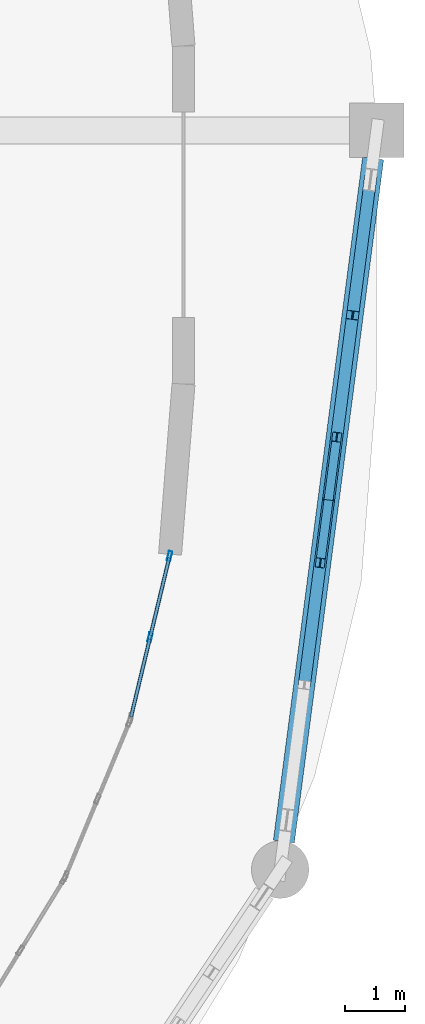
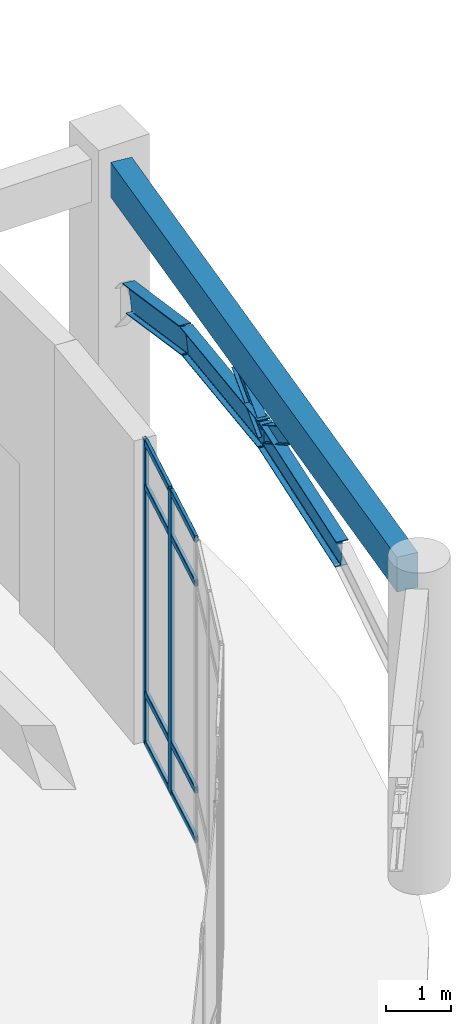
# One storey, part 32 of 82: 12 members, 4 beams, 1 element without a shape of its own.
"""IFC4 building model written with IfcOpenShell, lengths in metres."""

from ifc_helpers import new_model, si_unit, derived_unit, direction, frame, origin, origin_2d, place, context, subcontext, project, spatial, rectangle, hollow_rectangle, i_section, extrude, material, layer, layer_set, material_profile, profile_set, type_object, element, aggregate, save


model = new_model("IFC4")

# Units and contexts
model_context = context("Model", 3, precision=1e-05, world=origin(), true_north=direction((0.0, 1.0)))
body_context = subcontext(model_context, "Body", "Model", "MODEL_VIEW")
ifc_project = project(units=[si_unit("LENGTHUNIT", "METRE"), si_unit("AREAUNIT", "SQUARE_METRE"), si_unit("VOLUMEUNIT", "CUBIC_METRE"), si_unit("PLANEANGLEUNIT", "RADIAN"), si_unit("MASSUNIT", "GRAM", prefix="KILO"), derived_unit("THERMALTRANSMITTANCEUNIT", [(si_unit("MASSUNIT", "GRAM", prefix="KILO"), 1), (si_unit("TIMEUNIT", "SECOND"), -3), (si_unit("THERMODYNAMICTEMPERATUREUNIT", "KELVIN"), -1)])], contexts=[model_context])

# Site, building, storey
site_placement = place(None, origin())
site = spatial("IfcSite", under=ifc_project, at=site_placement, CompositionType="ELEMENT")
building_placement = place(site_placement, origin())
building = spatial("IfcBuilding", under=site, at=building_placement, Name="Qinzheling Arcade Emporium", CompositionType="ELEMENT")
storey_placement = place(building_placement, origin())
storey = spatial("IfcBuildingStorey", under=building, at=storey_placement, Name="L01", CompositionType="ELEMENT", Elevation=0.0)

# Beams
ifc_material_1 = material(Name="Weathering steel Q355NH", Category="steel")
ifc_material_profile_1 = material_profile(ifc_material_1, i_section(OverallWidth=0.199951171875, OverallDepth=0.5, WebThickness=0.010009765625, FlangeThickness=0.01611328125, FilletRadius=0.01806640625, at=origin_2d()), Name="HN 500x200x10x16", Category="steel")
ifc_profile_set_1 = profile_set([ifc_material_profile_1], Name="Weathering steel Q355NH")
beam_type_1 = type_object("IfcBeamType", Name="Arcade End Arch Rib HN500 Q355NH", PredefinedType="BEAM", material=ifc_profile_set_1)
for number, where, z_axis, x_axis, name in (
    (1, (172.801025390625, 16.02294921875, 4.0400390625), (0.129216964787, 0.988454559696, 0.079123696997), (-0.991563303448, 0.129623359222, 0.0), "Curved Arcade Entrance Arch ARC-L01-CV4-B04-C03"),
    (2, (173.200927734375, 19.08203125, 4.284912109375), (0.128984244547, 0.988484760963, -0.079126114545), (-0.991593790574, 0.12938993197, 0.0), "Curved Arcade Entrance Arch ARC-L01-CV4-B04-C04"),
):
    element("IfcBeam", number, at=place(storey_placement, frame(where, z_axis=z_axis, x_axis=x_axis)), inside=storey, type_object=beam_type_1, Name=name, PredefinedType="BEAM", context=body_context, shape_type="SweptSolid", body=[
        extrude(i_section(OverallWidth=0.199951171875, OverallDepth=0.5, WebThickness=0.010009765625, FlangeThickness=0.01611328125, FilletRadius=0.01806640625, at=origin_2d()), origin(), (0.0, 0.0, 1.0), 3.0947265625),
    ])
beam_1_placement = place(storey_placement, frame((173.60009765625, 22.14111328125, 4.0400390625), z_axis=(0.124424439777, 0.950810093962, -0.283687722691), x_axis=(-0.991546058255, 0.129755209368, 0.0)))
element("IfcBeam", 3, at=beam_1_placement, inside=storey, type_object=beam_type_1, Name="Curved Arcade Entrance Arch ARC-L01-CV4-B04-C05", PredefinedType="BEAM", context=body_context, shape_type="SweptSolid", body=[
    extrude(i_section(OverallWidth=0.199951171875, OverallDepth=0.5, WebThickness=0.010009765625, FlangeThickness=0.01611328125, FilletRadius=0.01806640625, at=origin_2d()), origin(), (0.0, 0.0, 1.0), 2.3544921875),
])

# Members
ifc_material_profile_2 = material_profile(ifc_material_1, i_section(OverallWidth=0.14990234375, OverallDepth=0.300048828125, WebThickness=0.006591796875, FlangeThickness=0.009033203125, FilletRadius=0.012939453125, at=origin_2d()), Name="HN 300x150x6.5x9", Category="steel")
ifc_profile_set_2 = profile_set([ifc_material_profile_2], Name="Weathering steel Q355NH")
member_type_1 = type_object("IfcMemberType", Name="Arcade Spandrel Web Chord HN300 Q355NH", PredefinedType="CHORD", material=ifc_profile_set_2)
for number, where, z_axis, x_axis, name in (
    (4, (173.200927734375, 19.08203125, 4.294921875), (-0.111375968194, -0.84653677073, 0.52054864279), (0.9914558783, -0.13044248305, 0.0), "Arcade Spandrel Web Chord ASW-L01-CV4-B04-W1"),
    (5, (173.200927734375, 19.08203125, 4.294921875), (0.110591590629, 0.846611386789, 0.520594525366), (-0.991575755432, 0.129528071242, 0.0), "Arcade Spandrel Web Chord ASW-L01-CV4-B04-W2"),
):
    element("IfcMember", number, at=place(storey_placement, frame(where, z_axis=z_axis, x_axis=x_axis)), inside=storey, type_object=member_type_1, Name=name, PredefinedType="CHORD", context=body_context, shape_type="SweptSolid", body=[
        extrude(i_section(OverallWidth=0.14990234375, OverallDepth=0.300048828125, WebThickness=0.006591796875, FlangeThickness=0.009033203125, FilletRadius=0.012939453125, at=origin_2d()), origin(), (0.0, 0.0, 1.0), 1.229736328125),
    ])

# Curtain wall, members
ifc_material_2 = material(Name="Anodised aluminium and solar-control double glazing", Category="aluminium")
ifc_layer = layer(ifc_material_2, 0.159912109375, Name="Anodised aluminium and solar-control double glazing", Category="aluminium")
ifc_layer_set = layer_set([ifc_layer], Name="Anodised aluminium and solar-control double glazing")
curtain_wall_type = type_object("IfcCurtainWallType", Name="Curved Ribbon Sales Curtain Wall", PredefinedType="NOTDEFINED", material=ifc_layer_set)
curtain_wall_placement = place(storey_placement, origin())
curtain_wall = element("IfcCurtainWall", 6, at=curtain_wall_placement, inside=storey, type_object=curtain_wall_type, Name="Curtain Wall CW-L01-001", PredefinedType="NOTDEFINED")
ifc_material_3 = material(Name="Anodised aluminium 6063-T6", Category="aluminium")
ifc_material_profile_3 = material_profile(ifc_material_3, hollow_rectangle(XDim=0.06005859375, YDim=0.159912109375, WallThickness=0.00390625, InnerFilletRadius=0.00390625, OuterFilletRadius=0.008056640625, at=origin_2d()), Name="RHS 160x60x4", Category="aluminium")
ifc_profile_set_3 = profile_set([ifc_material_profile_3], Name="Anodised aluminium 6063-T6")
member_type_2 = type_object("IfcMemberType", Name="Curtain Wall Mullion RHS160x60", PredefinedType="MULLION", material=ifc_profile_set_3)
member_1_placement = place(storey_placement, frame((170.571044921875, 18.15478515625, 0.0), z_axis=(0.0, 0.0, 1.0), x_axis=(0.972390516216, -0.233359559423, 0.0)))
member_1 = element("IfcMember", 7, at=member_1_placement, type_object=member_type_2, Name="CW02 mullion 1", PredefinedType="MULLION", context=body_context, shape_type="SweptSolid", body=[
    extrude(hollow_rectangle(XDim=0.06005859375, YDim=0.159912109375, WallThickness=0.00390625, InnerFilletRadius=0.00390625, OuterFilletRadius=0.008056640625, at=origin_2d()), origin(), (0.0, 0.0, 1.0), 5.659912109375),
])
member_2_placement = place(storey_placement, frame((170.24853515625, 16.81103515625, 0.0), z_axis=(0.0, 0.0, 1.0), x_axis=(0.972390516216, -0.233359559423, 0.0)))
member_2 = element("IfcMember", 8, at=member_2_placement, type_object=member_type_2, Name="CW02 mullion 2", PredefinedType="MULLION", context=body_context, shape_type="SweptSolid", body=[
    extrude(hollow_rectangle(XDim=0.06005859375, YDim=0.159912109375, WallThickness=0.00390625, InnerFilletRadius=0.00390625, OuterFilletRadius=0.008056640625, at=origin_2d()), origin(), (0.0, 0.0, 1.0), 5.659912109375),
])
ifc_material_profile_4 = material_profile(ifc_material_3, hollow_rectangle(XDim=0.06005859375, YDim=0.1201171875, WallThickness=0.00390625, InnerFilletRadius=0.00390625, OuterFilletRadius=0.008056640625, at=origin_2d()), Name="RHS 120x60x4", Category="aluminium")
ifc_profile_set_4 = profile_set([ifc_material_profile_4], Name="Anodised aluminium 6063-T6")
member_type_3 = type_object("IfcMemberType", Name="Curtain Wall Transom RHS120x60", PredefinedType="USERDEFINED", material=ifc_profile_set_4)
member_3_placement = place(storey_placement, frame((170.56396484375, 18.125732421875, 0.030029296875), z_axis=(-0.233226282964, -0.972422490965, 0.0), x_axis=(0.972422490965, -0.233226282964, 0.0)))
member_3 = element("IfcMember", 9, at=member_3_placement, type_object=member_type_3, Name="CW02 transom 1.1", ObjectType="TRANSOM", PredefinedType="USERDEFINED", context=body_context, shape_type="SweptSolid", body=[
    extrude(hollow_rectangle(XDim=0.06005859375, YDim=0.1201171875, WallThickness=0.00390625, InnerFilletRadius=0.00390625, OuterFilletRadius=0.008056640625, at=origin_2d()), origin(), (0.0, 0.0, 1.0), 1.322021484375),
])
member_4_placement = place(storey_placement, frame((170.56396484375, 18.125732421875, 0.949951171875), z_axis=(-0.233226282964, -0.972422490965, 0.0), x_axis=(0.972422490965, -0.233226282964, 0.0)))
member_4 = element("IfcMember", 10, at=member_4_placement, type_object=member_type_3, Name="CW02 transom 1.2", ObjectType="TRANSOM", PredefinedType="USERDEFINED", context=body_context, shape_type="SweptSolid", body=[
    extrude(hollow_rectangle(XDim=0.06005859375, YDim=0.1201171875, WallThickness=0.00390625, InnerFilletRadius=0.00390625, OuterFilletRadius=0.008056640625, at=origin_2d()), origin(), (0.0, 0.0, 1.0), 1.322021484375),
])
member_5_placement = place(storey_placement, frame((170.56396484375, 18.125732421875, 4.81005859375), z_axis=(-0.233226282964, -0.972422490965, 0.0), x_axis=(0.972422490965, -0.233226282964, 0.0)))
member_5 = element("IfcMember", 11, at=member_5_placement, type_object=member_type_3, Name="CW02 transom 1.3", ObjectType="TRANSOM", PredefinedType="USERDEFINED", context=body_context, shape_type="SweptSolid", body=[
    extrude(hollow_rectangle(XDim=0.06005859375, YDim=0.1201171875, WallThickness=0.00390625, InnerFilletRadius=0.00390625, OuterFilletRadius=0.008056640625, at=origin_2d()), origin(), (0.0, 0.0, 1.0), 1.322021484375),
])
member_6_placement = place(storey_placement, frame((170.56396484375, 18.125732421875, 5.6298828125), z_axis=(-0.233226282964, -0.972422490965, 0.0), x_axis=(0.972422490965, -0.233226282964, 0.0)))
member_6 = element("IfcMember", 12, at=member_6_placement, type_object=member_type_3, Name="CW02 transom 1.4", ObjectType="TRANSOM", PredefinedType="USERDEFINED", context=body_context, shape_type="SweptSolid", body=[
    extrude(hollow_rectangle(XDim=0.06005859375, YDim=0.1201171875, WallThickness=0.00390625, InnerFilletRadius=0.00390625, OuterFilletRadius=0.008056640625, at=origin_2d()), origin(), (0.0, 0.0, 1.0), 1.322021484375),
])
member_7_placement = place(storey_placement, frame((170.241455078125, 16.78173828125, 0.030029296875), z_axis=(-0.233268170265, -0.97241244374, 0.0), x_axis=(0.97241244374, -0.233268170265, 0.0)))
member_7 = element("IfcMember", 13, at=member_7_placement, type_object=member_type_3, Name="CW02 transom 2.1", ObjectType="TRANSOM", PredefinedType="USERDEFINED", context=body_context, shape_type="SweptSolid", body=[
    extrude(hollow_rectangle(XDim=0.06005859375, YDim=0.1201171875, WallThickness=0.00390625, InnerFilletRadius=0.00390625, OuterFilletRadius=0.008056640625, at=origin_2d()), origin(), (0.0, 0.0, 1.0), 1.32177734375),
])
member_8_placement = place(storey_placement, frame((170.241455078125, 16.78173828125, 0.949951171875), z_axis=(-0.233268170265, -0.97241244374, 0.0), x_axis=(0.97241244374, -0.233268170265, 0.0)))
member_8 = element("IfcMember", 14, at=member_8_placement, type_object=member_type_3, Name="CW02 transom 2.2", ObjectType="TRANSOM", PredefinedType="USERDEFINED", context=body_context, shape_type="SweptSolid", body=[
    extrude(hollow_rectangle(XDim=0.06005859375, YDim=0.1201171875, WallThickness=0.00390625, InnerFilletRadius=0.00390625, OuterFilletRadius=0.008056640625, at=origin_2d()), origin(), (0.0, 0.0, 1.0), 1.32177734375),
])
member_9_placement = place(storey_placement, frame((170.241455078125, 16.78173828125, 4.81005859375), z_axis=(-0.233268170265, -0.97241244374, 0.0), x_axis=(0.97241244374, -0.233268170265, 0.0)))
member_9 = element("IfcMember", 15, at=member_9_placement, type_object=member_type_3, Name="CW02 transom 2.3", ObjectType="TRANSOM", PredefinedType="USERDEFINED", context=body_context, shape_type="SweptSolid", body=[
    extrude(hollow_rectangle(XDim=0.06005859375, YDim=0.1201171875, WallThickness=0.00390625, InnerFilletRadius=0.00390625, OuterFilletRadius=0.008056640625, at=origin_2d()), origin(), (0.0, 0.0, 1.0), 1.32177734375),
])
member_10_placement = place(storey_placement, frame((170.241455078125, 16.78173828125, 5.6298828125), z_axis=(-0.233268170265, -0.97241244374, 0.0), x_axis=(0.97241244374, -0.233268170265, 0.0)))
member_10 = element("IfcMember", 16, at=member_10_placement, type_object=member_type_3, Name="CW02 transom 2.4", ObjectType="TRANSOM", PredefinedType="USERDEFINED", context=body_context, shape_type="SweptSolid", body=[
    extrude(hollow_rectangle(XDim=0.06005859375, YDim=0.1201171875, WallThickness=0.00390625, InnerFilletRadius=0.00390625, OuterFilletRadius=0.008056640625, at=origin_2d()), origin(), (0.0, 0.0, 1.0), 1.32177734375),
])
aggregate(curtain_wall, [member_1, member_2, member_3, member_4, member_5, member_6, member_7, member_8, member_9, member_10])

# Beam
ifc_material_4 = material(Name="Concrete C40", Category="concrete")
ifc_material_profile_5 = material_profile(ifc_material_4, rectangle(XDim=0.35009765625, YDim=0.64990234375, at=origin_2d()), Name="RC 350x650", Category="concrete")
ifc_profile_set_5 = profile_set([ifc_material_profile_5], Name="Concrete C40")
beam_type_2 = type_object("IfcBeamType", Name="RC Spandrel Edge Beam 350x650 C40", PredefinedType="SPANDREL", material=ifc_profile_set_5)
beam_2_placement = place(storey_placement, frame((172.4619140625, 13.429931640625, 5.3798828125), z_axis=(0.129565319935, 0.991570888979, 0.0), x_axis=(-0.991570888979, 0.129565319935, 0.0)))
element("IfcBeam", 17, at=beam_2_placement, inside=storey, type_object=beam_type_2, Name="Curved Arcade Spandrel BM-L01-CV4-B04", PredefinedType="SPANDREL", context=body_context, shape_type="SweptSolid", body=[
    extrude(rectangle(XDim=0.35009765625, YDim=0.64990234375, at=origin_2d()), origin(), (0.0, 0.0, 1.0), 11.400146484375),
])

save(model, "model.ifc")
